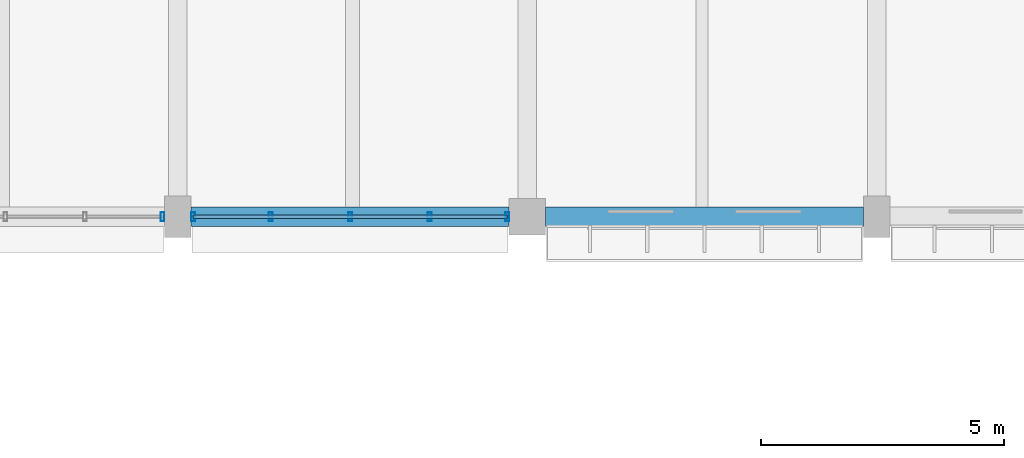
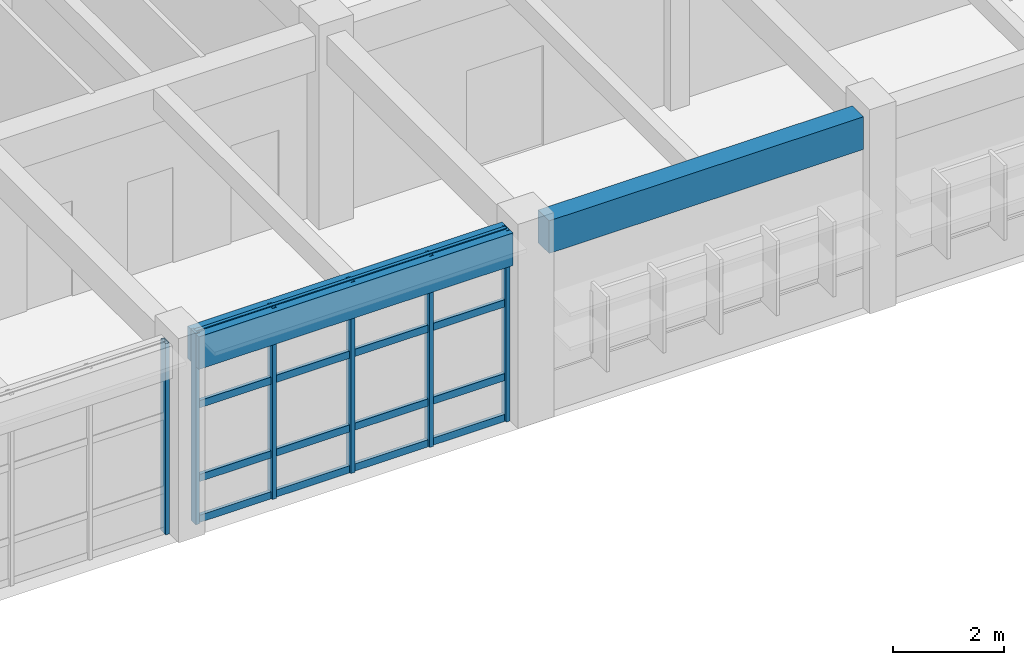
# One storey, part 74 of 171: 10 members, 2 beams, 2 elements without a shape of their own.
"""IFC4 building model written with IfcOpenShell, lengths in metres."""

from ifc_helpers import new_model, si_unit, direction, frame, origin, origin_2d, place, context, subcontext, project, spatial, rectangle, hollow_rectangle, extrude, material, material_profile, profile_set, type_object, element, aggregate, save


model = new_model("IFC4")

# Units and contexts
model_context = context("Model", 3, precision=1e-05, world=origin(), true_north=direction((0.0, 1.0)))
body_context = subcontext(model_context, "Body", "Model", "MODEL_VIEW")
ifc_project = project(units=[si_unit("LENGTHUNIT", "METRE"), si_unit("AREAUNIT", "SQUARE_METRE"), si_unit("VOLUMEUNIT", "CUBIC_METRE"), si_unit("PLANEANGLEUNIT", "RADIAN"), si_unit("MASSUNIT", "GRAM", prefix="KILO")], contexts=[model_context])

# Site, building, storey
site_placement = place(None, origin())
site = spatial("IfcSite", under=ifc_project, at=site_placement, CompositionType="ELEMENT")
building_placement = place(site_placement, origin())
building = spatial("IfcBuilding", under=site, at=building_placement, Name="Thalmaran Polytechnic", CompositionType="ELEMENT")
storey_placement = place(building_placement, frame((0.0, 0.0, 5.39990234375)))
storey = spatial("IfcBuildingStorey", under=building, at=storey_placement, Name="L01", CompositionType="ELEMENT", Elevation=5.39990234375)

# Beams
ifc_material_1 = material(Name="Concrete C40/50", Category="concrete")
ifc_material_profile_1 = material_profile(ifc_material_1, rectangle(XDim=0.39990234375, YDim=0.719970703125, at=origin_2d()), Name="RC 400x720")
ifc_profile_set_1 = profile_set([ifc_material_profile_1], Name="Concrete C40/50")
beam_type = type_object("IfcBeamType", Name="BM-SP01", PredefinedType="SPANDREL", material=ifc_profile_set_1)
for number, where, z_axis, x_axis, name in (
    (1, (65.074951171875, 93.60009765625, 3.85009765625), (1.0, 0.0, 0.0), (0.0, 1.0, 0.0), "Grid Beam SP01 L01 X(9,13)"),
    (2, (72.375, 93.60009765625, 3.85009765625), (1.0, 0.0, 0.0), (0.0, 1.0, 0.0), "Grid Beam SP01 L01 X(10,13)"),
):
    element("IfcBeam", number, at=place(storey_placement, frame(where, z_axis=z_axis, x_axis=x_axis)), inside=storey, type_object=beam_type, Name=name, PredefinedType="SPANDREL", context=body_context, shape_type="SweptSolid", body=[
        extrude(rectangle(XDim=0.39990234375, YDim=0.719970703125, at=origin_2d()), origin(), (0.0, 0.0, 1.0), 6.550048828125),
    ])

# Curtain wall, members
ifc_material_2 = material(Name="Aluminium 6063-T6", Category="aluminium")
curtain_wall_type = type_object("IfcCurtainWallType", Name="CW-UC02", PredefinedType="USERDEFINED", material=ifc_material_2)
curtain_wall_1_placement = place(storey_placement, origin())
curtain_wall_1 = element("IfcCurtainWall", 3, at=curtain_wall_1_placement, inside=storey, type_object=curtain_wall_type, Name="Curtain Wall CW-L01-129", ObjectType="UNITISED CURTAIN WALL", PredefinedType="USERDEFINED")
ifc_material_profile_2 = material_profile(ifc_material_2, hollow_rectangle(XDim=0.080078125, YDim=0.179931640625, WallThickness=0.0048828125, at=origin_2d()), Name="RHS 180x80x5.0")
ifc_profile_set_2 = profile_set([ifc_material_profile_2], Name="Aluminium 6063-T6")
member_type_1 = type_object("IfcMemberType", Name="CW-MUL1", PredefinedType="MULLION", material=ifc_profile_set_2)
member_1_placement = place(storey_placement, frame((71.5849609375, 93.60009765625, 0.0), z_axis=(0.0, 0.0, 1.0), x_axis=(1.0, 0.0, 0.0)))
member_1 = element("IfcMember", 4, at=member_1_placement, type_object=member_type_1, Name="CW-L01-129 Mullion 1", PredefinedType="MULLION", context=body_context, shape_type="SweptSolid", body=[
    extrude(hollow_rectangle(XDim=0.080078125, YDim=0.179931640625, WallThickness=0.0048828125, at=origin_2d()), origin(), (0.0, 0.0, 1.0), 4.210205078125),
])
member_2_placement = place(storey_placement, frame((69.987548828125, 93.60009765625, 0.0), z_axis=(0.0, 0.0, 1.0), x_axis=(1.0, 0.0, 0.0)))
member_2 = element("IfcMember", 5, at=member_2_placement, type_object=member_type_1, Name="CW-L01-129 Mullion 2", PredefinedType="MULLION", context=body_context, shape_type="SweptSolid", body=[
    extrude(hollow_rectangle(XDim=0.080078125, YDim=0.179931640625, WallThickness=0.0048828125, at=origin_2d()), origin(), (0.0, 0.0, 1.0), 4.210205078125),
])
member_3_placement = place(storey_placement, frame((68.35009765625, 93.60009765625, 0.0), z_axis=(0.0, 0.0, 1.0), x_axis=(1.0, 0.0, 0.0)))
member_3 = element("IfcMember", 6, at=member_3_placement, type_object=member_type_1, Name="CW-L01-129 Mullion 3", PredefinedType="MULLION", context=body_context, shape_type="SweptSolid", body=[
    extrude(hollow_rectangle(XDim=0.080078125, YDim=0.179931640625, WallThickness=0.0048828125, at=origin_2d()), origin(), (0.0, 0.0, 1.0), 4.210205078125),
])
member_4_placement = place(storey_placement, frame((66.71240234375, 93.60009765625, 0.0), z_axis=(0.0, 0.0, 1.0), x_axis=(1.0, 0.0, 0.0)))
member_4 = element("IfcMember", 7, at=member_4_placement, type_object=member_type_1, Name="CW-L01-129 Mullion 4", PredefinedType="MULLION", context=body_context, shape_type="SweptSolid", body=[
    extrude(hollow_rectangle(XDim=0.080078125, YDim=0.179931640625, WallThickness=0.0048828125, at=origin_2d()), origin(), (0.0, 0.0, 1.0), 4.210205078125),
])
member_5_placement = place(storey_placement, frame((65.114990234375, 93.60009765625, 0.0), z_axis=(0.0, 0.0, 1.0), x_axis=(1.0, 0.0, 0.0)))
member_5 = element("IfcMember", 8, at=member_5_placement, type_object=member_type_1, Name="CW-L01-129 Mullion 5", PredefinedType="MULLION", context=body_context, shape_type="SweptSolid", body=[
    extrude(hollow_rectangle(XDim=0.080078125, YDim=0.179931640625, WallThickness=0.0048828125, at=origin_2d()), origin(), (0.0, 0.0, 1.0), 4.210205078125),
])

# Curtain wall, member
curtain_wall_2_placement = place(storey_placement, origin())
curtain_wall_2 = element("IfcCurtainWall", 9, at=curtain_wall_2_placement, inside=storey, type_object=curtain_wall_type, Name="Curtain Wall CW-L01-130", ObjectType="UNITISED CURTAIN WALL", PredefinedType="USERDEFINED")
member_6_placement = place(storey_placement, frame((64.485107421875, 93.60009765625, 0.0), z_axis=(0.0, 0.0, 1.0), x_axis=(1.0, 0.0, 0.0)))
member_6 = element("IfcMember", 10, at=member_6_placement, type_object=member_type_1, Name="CW-L01-130 Mullion 1", PredefinedType="MULLION", context=body_context, shape_type="SweptSolid", body=[
    extrude(hollow_rectangle(XDim=0.080078125, YDim=0.179931640625, WallThickness=0.0048828125, at=origin_2d()), origin(), (0.0, 0.0, 1.0), 4.210205078125),
])
aggregate(curtain_wall_2, [member_6])

# Member
ifc_material_profile_3 = material_profile(ifc_material_2, hollow_rectangle(XDim=0.070068359375, YDim=0.159912109375, WallThickness=0.00390625, at=origin_2d()), Name="AL 160x70x4.0")
ifc_profile_set_3 = profile_set([ifc_material_profile_3], Name="Aluminium 6063-T6")
member_type_2 = type_object("IfcMemberType", Name="CW-TRN1", PredefinedType="USERDEFINED", material=ifc_profile_set_3)
member_7_placement = place(storey_placement, frame((71.5849609375, 93.60009765625, 0.06005859375), z_axis=(-1.0, 0.0, 0.0), x_axis=(0.0, -1.0, 0.0)))
member_7 = element("IfcMember", 11, at=member_7_placement, type_object=member_type_2, Name="CW-L01-129 Transom 1", ObjectType="TRANSOM", PredefinedType="USERDEFINED", context=body_context, shape_type="SweptSolid", body=[
    extrude(hollow_rectangle(XDim=0.070068359375, YDim=0.159912109375, WallThickness=0.00390625, at=origin_2d()), origin(), (0.0, 0.0, 1.0), 6.469970703125),
])

member_8_placement = place(storey_placement, frame((71.5849609375, 93.60009765625, 0.960205078125), z_axis=(-1.0, 0.0, 0.0), x_axis=(0.0, -1.0, 0.0)))
member_8 = element("IfcMember", 12, at=member_8_placement, type_object=member_type_2, Name="CW-L01-129 Transom 2", ObjectType="TRANSOM", PredefinedType="USERDEFINED", context=body_context, shape_type="SweptSolid", body=[
    extrude(hollow_rectangle(XDim=0.070068359375, YDim=0.159912109375, WallThickness=0.00390625, at=origin_2d()), origin(), (0.0, 0.0, 1.0), 6.469970703125),
])

member_9_placement = place(storey_placement, frame((71.5849609375, 93.60009765625, 2.585205078125), z_axis=(-1.0, 0.0, 0.0), x_axis=(0.0, -1.0, 0.0)))
member_9 = element("IfcMember", 13, at=member_9_placement, type_object=member_type_2, Name="CW-L01-129 Transom 3", ObjectType="TRANSOM", PredefinedType="USERDEFINED", context=body_context, shape_type="SweptSolid", body=[
    extrude(hollow_rectangle(XDim=0.070068359375, YDim=0.159912109375, WallThickness=0.00390625, at=origin_2d()), origin(), (0.0, 0.0, 1.0), 6.469970703125),
])

member_10_placement = place(storey_placement, frame((71.5849609375, 93.60009765625, 4.150146484375), z_axis=(-1.0, 0.0, 0.0), x_axis=(0.0, -1.0, 0.0)))
member_10 = element("IfcMember", 14, at=member_10_placement, type_object=member_type_2, Name="CW-L01-129 Transom 4", ObjectType="TRANSOM", PredefinedType="USERDEFINED", context=body_context, shape_type="SweptSolid", body=[
    extrude(hollow_rectangle(XDim=0.070068359375, YDim=0.159912109375, WallThickness=0.00390625, at=origin_2d()), origin(), (0.0, 0.0, 1.0), 6.469970703125),
])

aggregate(curtain_wall_1, [member_1, member_2, member_3, member_4, member_5, member_7, member_8, member_9, member_10])

save(model, "model.ifc")
